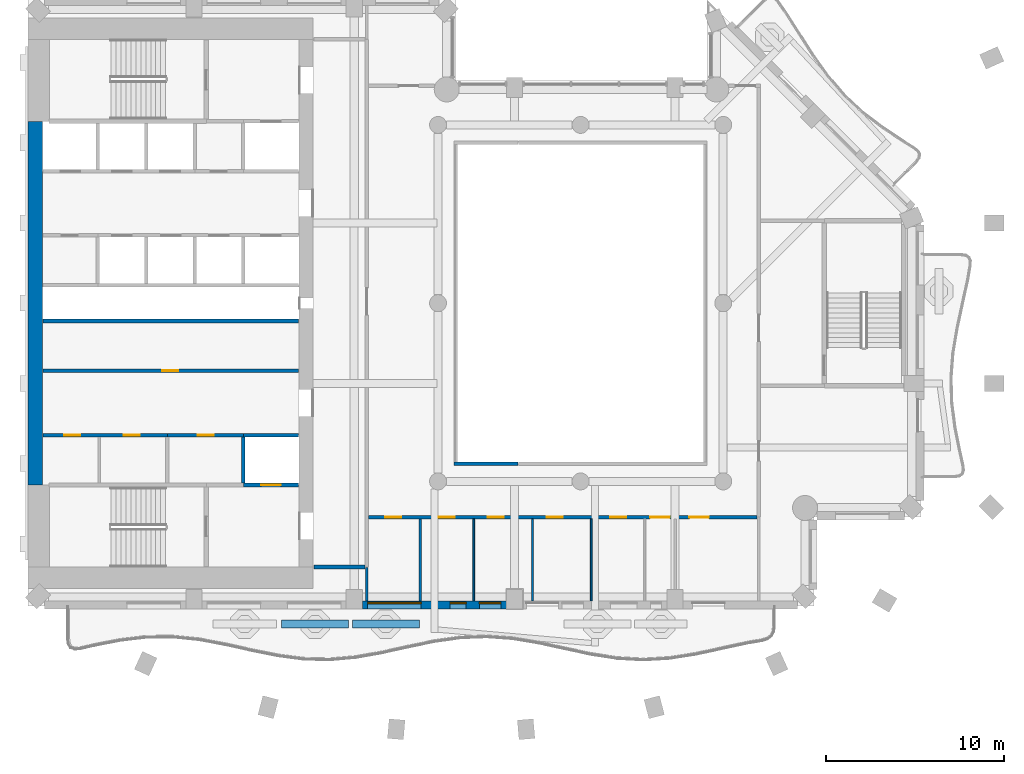
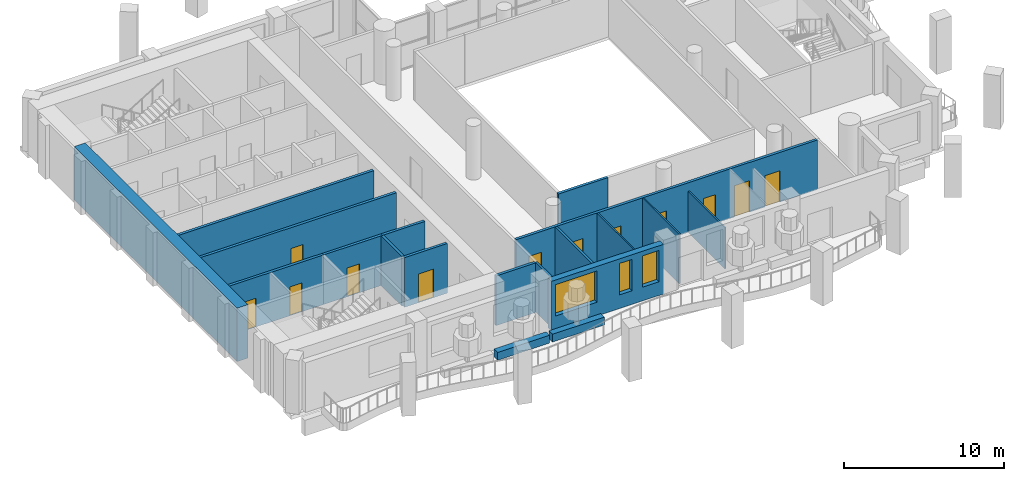
# One storey, part 4 of 15: 19 walls, 12 doors, 3 windows, 15 openings.
"""IFC4 building model written with IfcOpenShell, lengths in metres."""

import ifcopenshell
import ifcopenshell.guid

model = None  # the IFC model being written
_history = None  # IfcOwnerHistory: only IFC2X3 demands one
_inside = {}  # id of a spatial element -> (the spatial element, [elements in it])
_under = {}  # id of a project, library or spatial element -> (it, [spatial elements below it])
_declared = {}  # id of a project -> (the project, [libraries it declares])
_typed = {}  # id of a type object -> (the type object, [elements of that type])
_made_of = {}  # id of a material, layer set ... -> (it, [elements and type objects made of it])


def new_model(schema):
    """Start an empty IFC model of exactly this schema.

    Asked for "IFC4X3", IfcOpenShell would pick the latest addendum, in which some entities
    have other attributes; the version numbers below select the first issue.
    IFC2X3 requires an IfcOwnerHistory on every rooted entity: one is made here for all.
    """
    global model, _history
    if schema == "IFC4X3":
        model = ifcopenshell.file(schema_version=(4, 3, 0, 0))
    else:
        model = ifcopenshell.file(schema=schema)
    _inside.clear()
    _under.clear()
    _declared.clear()
    _typed.clear()
    _made_of.clear()
    _history = None
    if model.schema == "IFC2X3":
        org = make("IfcOrganization", Name="unknown")
        user = make(
            "IfcPersonAndOrganization",
            ThePerson=make("IfcPerson", FamilyName="unknown"),
            TheOrganization=org,
        )
        app = make(
            "IfcApplication",
            ApplicationDeveloper=org,
            Version="unknown",
            ApplicationFullName="unknown",
            ApplicationIdentifier="unknown",
        )
        _history = make(
            "IfcOwnerHistory",
            OwningUser=user,
            OwningApplication=app,
            ChangeAction="ADDED",
            CreationDate=0,
        )
    return model


def make(cls, **values):
    """One entity of the class cls with the attributes given. An attribute that is None is left unset."""
    return model.create_entity(
        cls, **{name: value for name, value in values.items() if value is not None}
    )


def rooted(cls, **values):
    """An entity with a GlobalId (a new one), such as an element, a storey or a relation."""
    return make(cls, GlobalId=ifcopenshell.guid.new(), OwnerHistory=_history, **values)


def si_unit(unit_type, name, prefix=None):
    """IfcSIUnit, for example si_unit("LENGTHUNIT", "METRE", prefix="MILLI")."""
    return make("IfcSIUnit", UnitType=unit_type, Prefix=prefix, Name=name)


def assignment(units):
    """IfcUnitAssignment: the units of a project."""
    return None if units is None else make("IfcUnitAssignment", Units=units)


def point(xyz):
    """IfcCartesianPoint."""
    return None if xyz is None else make("IfcCartesianPoint", Coordinates=xyz)


def direction(xyz):
    """IfcDirection."""
    return None if xyz is None else make("IfcDirection", DirectionRatios=xyz)


def frame(location, z_axis=None, x_axis=None):
    """IfcAxis2Placement3D, a coordinate frame: its origin and axes. An axis left out is left unset."""
    return make(
        "IfcAxis2Placement3D",
        Location=point(location),
        Axis=direction(z_axis),
        RefDirection=direction(x_axis),
    )


def frame_2d(location, x_axis=None):
    """IfcAxis2Placement2D, a coordinate frame in the plane: its origin and x axis."""
    return make(
        "IfcAxis2Placement2D", Location=point(location), RefDirection=direction(x_axis)
    )


def origin():
    """The frame at (0, 0, 0) with its axes left unset."""
    return frame((0.0, 0.0, 0.0))


def place(relative_to, where):
    """IfcLocalPlacement: puts the frame where relative to a parent placement (None: the world)."""
    return make(
        "IfcLocalPlacement", PlacementRelTo=relative_to, RelativePlacement=where
    )


def context(
    kind, dimensions, precision=None, world=None, true_north=None, identifier=None
):
    """IfcGeometricRepresentationContext, for example the 3D "Model" context."""
    return make(
        "IfcGeometricRepresentationContext",
        ContextIdentifier=identifier,
        ContextType=kind,
        CoordinateSpaceDimension=dimensions,
        Precision=precision,
        WorldCoordinateSystem=world,
        TrueNorth=true_north,
    )


def subcontext(parent, identifier, kind, view, scale=None):
    """IfcGeometricRepresentationSubContext, for example "Body" below "Model"."""
    return make(
        "IfcGeometricRepresentationSubContext",
        ContextIdentifier=identifier,
        ContextType=kind,
        ParentContext=parent,
        TargetScale=scale,
        TargetView=view,
    )


def project(units=None, contexts=None):
    """IfcProject with its units and contexts."""
    return rooted(
        "IfcProject",
        Name="project",
        RepresentationContexts=contexts,
        UnitsInContext=assignment(units),
    )


def spatial(cls, under=None, at=None, **own):
    """A site, building, storey or space (cls), placed at a placement, below another one or the project."""
    s = rooted(cls, ObjectPlacement=at, **own)
    if under is not None:
        _under.setdefault(under.id(), (under, []))[1].append(s)
    return s


def profile(cls, at=None, kind="AREA", **sizes):
    """A parametric profile (cls). Its sizes go by their IFC names, for example OverallWidth=200.0."""
    return make(cls, ProfileType=kind, Position=at, **sizes)


def rectangle(**sizes):
    """IfcRectangleProfileDef."""
    return profile("IfcRectangleProfileDef", **sizes)


def extrude(swept, where, along, depth):
    """IfcExtrudedAreaSolid: the profile swept, set in the frame where, extruded along a direction by depth."""
    return make(
        "IfcExtrudedAreaSolid",
        SweptArea=swept,
        Position=where,
        ExtrudedDirection=direction(along),
        Depth=depth,
    )


def shape(context_of_items, identifier, shape_type, items):
    """IfcShapeRepresentation: the items that make up one representation, for example the "Body"."""
    return make(
        "IfcShapeRepresentation",
        ContextOfItems=context_of_items,
        RepresentationIdentifier=identifier,
        RepresentationType=shape_type,
        Items=items,
    )


def material(Name=None, Category=None):
    """IfcMaterial."""
    return make("IfcMaterial", Name=Name, Category=Category)


def layer(
    of_material, thickness, ventilated=None, Name=None, Category=None, Priority=None
):
    """IfcMaterialLayer: one layer of a wall or slab, of a material (None: an air gap)."""
    return make(
        "IfcMaterialLayer",
        Material=of_material,
        LayerThickness=thickness,
        IsVentilated=ventilated,
        Name=Name,
        Category=Category,
        Priority=Priority,
    )


def layer_set(layers, Name=None):
    """IfcMaterialLayerSet."""
    return make("IfcMaterialLayerSet", MaterialLayers=layers, LayerSetName=Name)


def made_of(thing, what):
    """Note that an element or type object is made of a material, layer set ...; save() writes the relation."""
    if what is not None:
        _made_of.setdefault(what.id(), (what, []))[1].append(thing)
    return thing


def type_object(cls, material=None, **own):
    """A type object (cls), such as IfcWallType, which elements share."""
    return made_of(rooted(cls, **own), material)


def element(
    cls,
    number,
    at=None,
    inside=None,
    cuts=None,
    type_object=None,
    material=None,
    context=None,
    identifier="Body",
    shape_type=None,
    held_by="IfcProductDefinitionShape",
    body=None,
    shapes=None,
    **own,
):
    """One element of the class cls, such as IfcWall. Its Tag is "e" and its number.

    at: its placement. inside: the storey or other place that contains it. cuts: it is an
    opening in that element (IfcRelVoidsElement). A single representation is given by context,
    identifier, shape_type and body (its items); several are given by shapes. held_by: the class
    of the entity that holds the representations. save() writes the other relations.
    """
    e = rooted(cls, Tag="e%d" % number, ObjectPlacement=at, **own)
    if body is not None:
        shapes = [shape(context, identifier, shape_type, body)]
    if shapes is not None:
        e.Representation = make(held_by, Representations=shapes)
    if inside is not None:
        _inside.setdefault(inside.id(), (inside, []))[1].append(e)
    if cuts is not None:
        rooted(
            "IfcRelVoidsElement", RelatingBuildingElement=cuts, RelatedOpeningElement=e
        )
    if type_object is not None:
        _typed.setdefault(type_object.id(), (type_object, []))[1].append(e)
    return made_of(e, material)


def fill(opening, filler):
    """IfcRelFillsElement: the door or window that sits in an opening."""
    return rooted(
        "IfcRelFillsElement",
        RelatingOpeningElement=opening,
        RelatedBuildingElement=filler,
    )


def aggregate(whole, parts):
    """IfcRelAggregates: a whole, such as a stair, and the parts it consists of."""
    return rooted("IfcRelAggregates", RelatingObject=whole, RelatedObjects=parts)


def save(model, path):
    """Write the relations noted so far, then the file.

    IfcRelAggregates (storeys below a building ...), IfcRelContainedInSpatialStructure (elements
    in a storey), IfcRelDefinesByType, IfcRelAssociatesMaterial and IfcRelDeclares: one each for
    every whole, place, type object, material and project.
    """
    for whole, parts in _under.values():
        aggregate(whole, parts)
    for where, things in _inside.values():
        rooted(
            "IfcRelContainedInSpatialStructure",
            RelatedElements=things,
            RelatingStructure=where,
        )
    for kind, things in _typed.values():
        rooted("IfcRelDefinesByType", RelatedObjects=things, RelatingType=kind)
    for what, things in _made_of.values():
        rooted("IfcRelAssociatesMaterial", RelatedObjects=things, RelatingMaterial=what)
    for by, libraries in _declared.values():
        rooted("IfcRelDeclares", RelatingContext=by, RelatedDefinitions=libraries)
    model.write(path)


model = new_model("IFC4")

# Units and contexts
model_context = context("Model", 3, precision=1e-05, world=origin(), true_north=direction((0.0, 1.0)))
body_context = subcontext(model_context, "Body", "Model", "MODEL_VIEW")
ifc_project = project(units=[si_unit("LENGTHUNIT", "METRE"), si_unit("AREAUNIT", "SQUARE_METRE"), si_unit("VOLUMEUNIT", "CUBIC_METRE"), si_unit("PLANEANGLEUNIT", "RADIAN"), si_unit("MASSUNIT", "GRAM", prefix="KILO")], contexts=[model_context])

# Site, building, storey
site_placement = place(None, origin())
site = spatial("IfcSite", under=ifc_project, at=site_placement, CompositionType="ELEMENT")
building_placement = place(site_placement, origin())
building = spatial("IfcBuilding", under=site, at=building_placement, Name="Cypress Arch Tower", CompositionType="ELEMENT")
storey_placement = place(building_placement, frame((0.0, 0.0, 176.89990234375)))
storey = spatial("IfcBuildingStorey", under=building, at=storey_placement, Name="L38", CompositionType="ELEMENT", Elevation=176.89990234375)

# Walls
ifc_material_1 = material(Name="Concrete C40/50, waterproofed", Category="concrete")
ifc_layer_1 = layer(ifc_material_1, 0.449951171875)
ifc_layer_set_1 = layer_set([ifc_layer_1], Name="Balcony planter wall PW450")
wall_type_1 = type_object("IfcWallType", Name="Balcony planter wall PW450", PredefinedType="SOLIDWALL", material=ifc_layer_set_1)
for number, where, z_axis, x_axis, name in (
    (1, (-15.77001953125, -18.0, 0.0), (0.0, 0.0, 1.0), (1.0, 0.0, 0.0), "Balcony planter wall L38-B01.2"),
    (2, (-11.81005859375, -18.0, 0.0), (0.0, 0.0, 1.0), (1.0, 0.0, 0.0), "Balcony planter wall L38-B01.3"),
):
    element("IfcWall", number, at=place(storey_placement, frame(where, z_axis=z_axis, x_axis=x_axis)), inside=storey, type_object=wall_type_1, Name=name, PredefinedType="SOLIDWALL", context=body_context, shape_type="SweptSolid", body=[
        extrude(rectangle(XDim=3.760009765625, YDim=0.449951171875, at=frame_2d((1.8798828125, 0.0))), origin(), (0.0, 0.0, 1.0), 0.60009765625),
    ])

# Wall, openings, windows
ifc_material_2 = material(Name="Brick (red buff blend)", Category="masonry")
ifc_layer_2 = layer(ifc_material_2, 0.449951171875)
ifc_layer_set_2 = layer_set([ifc_layer_2], Name="Brick pier and spandrel wall BW450")
wall_type_2 = type_object("IfcWallType", Name="Brick pier and spandrel wall BW450", PredefinedType="SOLIDWALL", material=ifc_layer_set_2)
wall_1_placement = place(storey_placement, frame((-11.25, -16.925048828125, 0.0), z_axis=(0.0, 0.0, 1.0), x_axis=(1.0, 0.0, 0.0)))
wall_1 = element("IfcWall", 3, at=wall_1_placement, inside=storey, type_object=wall_type_2, Name="Brick wall L38 B01.2", PredefinedType="SOLIDWALL", context=body_context, shape_type="SweptSolid", body=[
    extrude(rectangle(XDim=8.10009765625, YDim=0.449951171875, at=frame_2d((4.050048828125, 0.0))), origin(), (0.0, 0.0, 1.0), 3.800048828125),
])
opening_1_placement = place(wall_1_placement, frame((0.300048828125, 0.0, 1.050048828125)))
opening_1 = element("IfcOpeningElement", 4, at=opening_1_placement, cuts=wall_1, Name="Opening W300OD", PredefinedType="OPENING", context=body_context, shape_type="SweptSolid", body=[
    extrude(rectangle(XDim=3.0, YDim=2.39990234375, at=frame_2d((1.5, 1.199951171875))), frame((0.0, 0.23486328125, 0.0), z_axis=(0.0, -1.0, 0.0), x_axis=(1.0, 0.0, 0.0)), (0.0, 0.0, 1.0), 0.469970703125),
])
opening_2_placement = place(wall_1_placement, frame((4.925048828125, 0.0, 1.050048828125)))
opening_2 = element("IfcOpeningElement", 5, at=opening_2_placement, cuts=wall_1, Name="Opening W090OD", PredefinedType="OPENING", context=body_context, shape_type="SweptSolid", body=[
    extrude(rectangle(XDim=0.89990234375, YDim=2.39990234375, at=frame_2d((0.449951171875, 1.199951171875))), frame((0.0, 0.23486328125, 0.0), z_axis=(0.0, -1.0, 0.0), x_axis=(1.0, 0.0, 0.0)), (0.0, 0.0, 1.0), 0.469970703125),
])
opening_3_placement = place(wall_1_placement, frame((6.574951171875, 0.0, 1.050048828125)))
opening_3 = element("IfcOpeningElement", 6, at=opening_3_placement, cuts=wall_1, Name="Opening W120OD", PredefinedType="OPENING", context=body_context, shape_type="SweptSolid", body=[
    extrude(rectangle(XDim=1.199951171875, YDim=2.39990234375, at=frame_2d((0.60009765625, 1.199951171875))), frame((0.0, 0.23486328125, 0.0), z_axis=(0.0, -1.0, 0.0), x_axis=(1.0, 0.0, 0.0)), (0.0, 0.0, 1.0), 0.469970703125),
])
ifc_material_3 = material(Name="Anodised aluminium, bronze finish, laminated low-emissivity double glazing, large-missile impact rated", Category="aluminium")
window_type_1 = type_object("IfcWindowType", Name="Window Office 1200x2400 debris-rated", PartitioningType="SINGLE_PANEL", PredefinedType="WINDOW", material=ifc_material_3)
window_1_placement = place(opening_3_placement, origin())
window_1 = element("IfcWindow", 7, at=window_1_placement, inside=storey, type_object=window_type_1, Name="Window L38 B01.2.2b", OverallHeight=2.39990234375, OverallWidth=1.199951171875, PartitioningType="SINGLE_PANEL", PredefinedType="WINDOW", context=body_context, shape_type="SweptSolid", body=[
    extrude(rectangle(XDim=1.199951171875, YDim=2.39990234375, at=frame_2d((0.60009765625, 1.199951171875))), frame((0.0, 0.135009765625, 0.0), z_axis=(0.0, -1.0, 0.0), x_axis=(1.0, 0.0, 0.0)), (0.0, 0.0, 1.0), 0.06005859375),
])
fill(opening_3, window_1)
ifc_material_4 = material(Name="Anodised aluminium, bronze finish, laminated low-emissivity double glazing, large-missile impact rated", Category="aluminium")
window_type_2 = type_object("IfcWindowType", Name="Window Office 3000x2400 debris-rated", PartitioningType="SINGLE_PANEL", PredefinedType="WINDOW", material=ifc_material_4)
window_2_placement = place(opening_1_placement, origin())
window_2 = element("IfcWindow", 8, at=window_2_placement, inside=storey, type_object=window_type_2, Name="Window L38 B01.2.1", OverallHeight=2.39990234375, OverallWidth=3.0, PartitioningType="SINGLE_PANEL", PredefinedType="WINDOW", context=body_context, shape_type="SweptSolid", body=[
    extrude(rectangle(XDim=3.0, YDim=2.39990234375, at=frame_2d((1.5, 1.199951171875))), frame((0.0, 0.135009765625, 0.0), z_axis=(0.0, -1.0, 0.0), x_axis=(1.0, 0.0, 0.0)), (0.0, 0.0, 1.0), 0.06005859375),
])
fill(opening_1, window_2)
ifc_material_5 = material(Name="Anodised aluminium, bronze finish, laminated low-emissivity double glazing, large-missile impact rated", Category="aluminium")
window_type_3 = type_object("IfcWindowType", Name="Window Office 900x2400 debris-rated", PartitioningType="SINGLE_PANEL", PredefinedType="WINDOW", material=ifc_material_5)
window_3_placement = place(opening_2_placement, origin())
window_3 = element("IfcWindow", 9, at=window_3_placement, inside=storey, type_object=window_type_3, Name="Window L38 B01.2.2", OverallHeight=2.39990234375, OverallWidth=0.89990234375, PartitioningType="SINGLE_PANEL", PredefinedType="WINDOW", context=body_context, shape_type="SweptSolid", body=[
    extrude(rectangle(XDim=0.89990234375, YDim=2.39990234375, at=frame_2d((0.449951171875, 1.199951171875))), frame((0.0, 0.135009765625, 0.0), z_axis=(0.0, -1.0, 0.0), x_axis=(1.0, 0.0, 0.0)), (0.0, 0.0, 1.0), 0.06005859375),
])
fill(opening_2, window_3)

# Wall
ifc_material_6 = material(Name="Concrete C70/85", Category="concrete")
ifc_layer_3 = layer(ifc_material_6, 0.800048828125)
ifc_layer_set_3 = layer_set([ifc_layer_3], Name="Core wall CW800 C70/85")
wall_type_3 = type_object("IfcWallType", Name="Core wall CW800 C70/85", PredefinedType="SHEAR", material=ifc_layer_set_3)
wall_2_placement = place(storey_placement, frame((-29.60009765625, -10.199951171875, 0.0), z_axis=(0.0, 0.0, 1.0), x_axis=(0.0, 1.0, 0.0)))
element("IfcWall", 10, at=wall_2_placement, inside=storey, type_object=wall_type_3, Name="Core wall", PredefinedType="SHEAR", context=body_context, shape_type="SweptSolid", body=[
    extrude(rectangle(XDim=20.39990234375, YDim=0.800048828125, at=frame_2d((10.199951171875, 0.0))), origin(), (0.0, 0.0, 1.0), 4.10009765625),
])

# Wall, openings, doors
ifc_material_7 = material(Name="Concrete blockwork, plastered, rated", Category="masonry")
ifc_layer_4 = layer(ifc_material_7, 0.199951171875)
ifc_layer_set_4 = layer_set([ifc_layer_4], Name="Corridor wall FW200")
wall_type_4 = type_object("IfcWallType", Name="Corridor wall FW200", PredefinedType="PARTITIONING", material=ifc_layer_set_4)
wall_3_placement = place(storey_placement, frame((-29.169921875, -7.39990234375, 0.0), z_axis=(0.0, 0.0, 1.0), x_axis=(1.0, 0.0, 0.0)))
wall_3 = element("IfcWall", 11, at=wall_3_placement, inside=storey, type_object=wall_type_4, Name="Corridor wall", PredefinedType="PARTITIONING", context=body_context, shape_type="SweptSolid", body=[
    extrude(rectangle(XDim=6.989990234375, YDim=0.199951171875, at=frame_2d((3.4951171875, 0.0))), origin(), (0.0, 0.0, 1.0), 3.800048828125),
])
opening_4_placement = place(wall_3_placement, frame((1.199951171875, 0.0, 0.0)))
opening_4 = element("IfcOpeningElement", 12, at=opening_4_placement, cuts=wall_3, Name="Opening D05", PredefinedType="OPENING", context=body_context, shape_type="SweptSolid", body=[
    extrude(rectangle(XDim=0.89990234375, YDim=2.199951171875, at=frame_2d((0.449951171875, 1.10009765625))), frame((0.0, 0.10986328125, 0.0), z_axis=(0.0, -1.0, 0.0), x_axis=(1.0, 0.0, 0.0)), (0.0, 0.0, 1.0), 0.219970703125),
])
opening_5_placement = place(wall_3_placement, frame((4.550048828125, 0.0, 0.0)))
opening_5 = element("IfcOpeningElement", 13, at=opening_5_placement, cuts=wall_3, Name="Opening D05", PredefinedType="OPENING", context=body_context, shape_type="SweptSolid", body=[
    extrude(rectangle(XDim=0.89990234375, YDim=2.199951171875, at=frame_2d((0.449951171875, 1.10009765625))), frame((0.0, 0.10986328125, 0.0), z_axis=(0.0, -1.0, 0.0), x_axis=(1.0, 0.0, 0.0)), (0.0, 0.0, 1.0), 0.219970703125),
])
ifc_material_8 = material(Name="Timber flush door", Category="wood")
door_type_1 = type_object("IfcDoorType", Name="Service door D05 900x2200", OperationType="SINGLE_SWING_LEFT", PredefinedType="DOOR", material=ifc_material_8)
door_1_placement = place(opening_4_placement, origin())
door_1 = element("IfcDoor", 14, at=door_1_placement, inside=storey, type_object=door_type_1, Name="Service door", OperationType="SINGLE_SWING_LEFT", OverallHeight=2.199951171875, OverallWidth=0.89990234375, PredefinedType="DOOR", context=body_context, shape_type="SweptSolid", body=[
    extrude(rectangle(XDim=0.89990234375, YDim=2.199951171875, at=frame_2d((0.449951171875, 1.10009765625))), frame((0.0, 0.02490234375, 0.0), z_axis=(0.0, -1.0, 0.0), x_axis=(1.0, 0.0, 0.0)), (0.0, 0.0, 1.0), 0.050048828125),
])
fill(opening_4, door_1)
door_2_placement = place(opening_5_placement, origin())
door_2 = element("IfcDoor", 15, at=door_2_placement, inside=storey, type_object=door_type_1, Name="Service door", OperationType="SINGLE_SWING_RIGHT", OverallHeight=2.199951171875, OverallWidth=0.89990234375, PredefinedType="DOOR", context=body_context, shape_type="SweptSolid", body=[
    extrude(rectangle(XDim=0.89990234375, YDim=2.199951171875, at=frame_2d((0.449951171875, 1.10009765625))), frame((0.0, 0.02490234375, 0.0), z_axis=(0.0, -1.0, 0.0), x_axis=(1.0, 0.0, 0.0)), (0.0, 0.0, 1.0), 0.050048828125),
])
fill(opening_5, door_2)

# Wall, opening, door
wall_4_placement = place(storey_placement, frame((-29.169921875, -3.800048828125, 0.0), z_axis=(0.0, 0.0, 1.0), x_axis=(1.0, 0.0, 0.0)))
wall_4 = element("IfcWall", 16, at=wall_4_placement, inside=storey, type_object=wall_type_4, Name="Corridor wall", PredefinedType="PARTITIONING", context=body_context, shape_type="SweptSolid", body=[
    extrude(rectangle(XDim=14.33984375, YDim=0.199951171875, at=frame_2d((7.169921875, 0.0))), origin(), (0.0, 0.0, 1.0), 3.800048828125),
])
opening_6_placement = place(wall_4_placement, frame((6.699951171875, 0.0, 0.0)))
opening_6 = element("IfcOpeningElement", 17, at=opening_6_placement, cuts=wall_4, Name="Opening D05", PredefinedType="OPENING", context=body_context, shape_type="SweptSolid", body=[
    extrude(rectangle(XDim=0.89990234375, YDim=2.199951171875, at=frame_2d((0.449951171875, 1.10009765625))), frame((0.0, 0.10986328125, 0.0), z_axis=(0.0, -1.0, 0.0), x_axis=(1.0, 0.0, 0.0)), (0.0, 0.0, 1.0), 0.219970703125),
])
door_3_placement = place(opening_6_placement, origin())
door_3 = element("IfcDoor", 18, at=door_3_placement, inside=storey, type_object=door_type_1, Name="Service door", OperationType="SINGLE_SWING_LEFT", OverallHeight=2.199951171875, OverallWidth=0.89990234375, PredefinedType="DOOR", context=body_context, shape_type="SweptSolid", body=[
    extrude(rectangle(XDim=0.89990234375, YDim=2.199951171875, at=frame_2d((0.449951171875, 1.10009765625))), frame((0.0, 0.02490234375, 0.0), z_axis=(0.0, -1.0, 0.0), x_axis=(1.0, 0.0, 0.0)), (0.0, 0.0, 1.0), 0.050048828125),
])
fill(opening_6, door_3)

# Wall
wall_5_placement = place(storey_placement, frame((-13.969970703125, -14.800048828125, 0.0), z_axis=(0.0, 0.0, 1.0), x_axis=(1.0, 0.0, 0.0)))
element("IfcWall", 19, at=wall_5_placement, inside=storey, type_object=wall_type_4, Name="Corridor wall", PredefinedType="PARTITIONING", context=body_context, shape_type="SweptSolid", body=[
    extrude(rectangle(XDim=2.869873046875, YDim=0.199951171875, at=frame_2d((1.43505859375, 0.0))), origin(), (0.0, 0.0, 1.0), 3.800048828125),
])

# Wall, openings, doors
wall_6_placement = place(storey_placement, frame((-10.89990234375, -12.0, 0.0), z_axis=(0.0, 0.0, 1.0), x_axis=(1.0, 0.0, 0.0)))
wall_6 = element("IfcWall", 20, at=wall_6_placement, inside=storey, type_object=wall_type_4, Name="Corridor wall", PredefinedType="PARTITIONING", context=body_context, shape_type="SweptSolid", body=[
    extrude(rectangle(XDim=21.7998046875, YDim=0.199951171875, at=frame_2d((10.89990234375, 0.0))), origin(), (0.0, 0.0, 1.0), 3.800048828125),
])
opening_7_placement = place(wall_6_placement, frame((0.949951171875, 0.0, 0.0)))
opening_7 = element("IfcOpeningElement", 21, at=opening_7_placement, cuts=wall_6, Name="Opening D05", PredefinedType="OPENING", context=body_context, shape_type="SweptSolid", body=[
    extrude(rectangle(XDim=0.89990234375, YDim=2.199951171875, at=frame_2d((0.449951171875, 1.10009765625))), frame((0.0, 0.10986328125, 0.0), z_axis=(0.0, -1.0, 0.0), x_axis=(1.0, 0.0, 0.0)), (0.0, 0.0, 1.0), 0.219970703125),
])
opening_8_placement = place(wall_6_placement, frame((3.949951171875, 0.0, 0.0)))
opening_8 = element("IfcOpeningElement", 22, at=opening_8_placement, cuts=wall_6, Name="Opening D05", PredefinedType="OPENING", context=body_context, shape_type="SweptSolid", body=[
    extrude(rectangle(XDim=0.89990234375, YDim=2.199951171875, at=frame_2d((0.449951171875, 1.10009765625))), frame((0.0, 0.10986328125, 0.0), z_axis=(0.0, -1.0, 0.0), x_axis=(1.0, 0.0, 0.0)), (0.0, 0.0, 1.0), 0.219970703125),
])
opening_9_placement = place(wall_6_placement, frame((6.699951171875, 0.0, 0.0)))
opening_9 = element("IfcOpeningElement", 23, at=opening_9_placement, cuts=wall_6, Name="Opening D03", PredefinedType="OPENING", context=body_context, shape_type="SweptSolid", body=[
    extrude(rectangle(XDim=0.89990234375, YDim=2.199951171875, at=frame_2d((0.449951171875, 1.10009765625))), frame((0.0, 0.10986328125, 0.0), z_axis=(0.0, -1.0, 0.0), x_axis=(1.0, 0.0, 0.0)), (0.0, 0.0, 1.0), 0.219970703125),
])
opening_10_placement = place(wall_6_placement, frame((10.0, 0.0, 0.0)))
opening_10 = element("IfcOpeningElement", 24, at=opening_10_placement, cuts=wall_6, Name="Opening D03", PredefinedType="OPENING", context=body_context, shape_type="SweptSolid", body=[
    extrude(rectangle(XDim=0.89990234375, YDim=2.199951171875, at=frame_2d((0.449951171875, 1.10009765625))), frame((0.0, 0.10986328125, 0.0), z_axis=(0.0, -1.0, 0.0), x_axis=(1.0, 0.0, 0.0)), (0.0, 0.0, 1.0), 0.219970703125),
])
opening_11_placement = place(wall_6_placement, frame((13.550048828125, 0.0, 0.0)))
opening_11 = element("IfcOpeningElement", 25, at=opening_11_placement, cuts=wall_6, Name="Opening D03", PredefinedType="OPENING", context=body_context, shape_type="SweptSolid", body=[
    extrude(rectangle(XDim=0.89990234375, YDim=2.199951171875, at=frame_2d((0.449951171875, 1.10009765625))), frame((0.0, 0.10986328125, 0.0), z_axis=(0.0, -1.0, 0.0), x_axis=(1.0, 0.0, 0.0)), (0.0, 0.0, 1.0), 0.219970703125),
])
opening_12_placement = place(wall_6_placement, frame((15.800048828125, 0.0, 0.0)))
opening_12 = element("IfcOpeningElement", 26, at=opening_12_placement, cuts=wall_6, Name="Opening D01", PredefinedType="OPENING", context=body_context, shape_type="SweptSolid", body=[
    extrude(rectangle(XDim=1.10009765625, YDim=2.39990234375, at=frame_2d((0.550048828125, 1.199951171875))), frame((0.0, 0.10986328125, 0.0), z_axis=(0.0, -1.0, 0.0), x_axis=(1.0, 0.0, 0.0)), (0.0, 0.0, 1.0), 0.219970703125),
])
opening_13_placement = place(wall_6_placement, frame((18.0, 0.0, 0.0)))
opening_13 = element("IfcOpeningElement", 27, at=opening_13_placement, cuts=wall_6, Name="Opening D01", PredefinedType="OPENING", context=body_context, shape_type="SweptSolid", body=[
    extrude(rectangle(XDim=1.10009765625, YDim=2.39990234375, at=frame_2d((0.550048828125, 1.199951171875))), frame((0.0, 0.10986328125, 0.0), z_axis=(0.0, -1.0, 0.0), x_axis=(1.0, 0.0, 0.0)), (0.0, 0.0, 1.0), 0.219970703125),
])
ifc_material_9 = material(Name="Timber flush door, moisture resistant", Category="wood")
door_type_2 = type_object("IfcDoorType", Name="Bathroom door D03 900x2200", OperationType="SINGLE_SWING_LEFT", PredefinedType="DOOR", material=ifc_material_9)
door_4_placement = place(opening_9_placement, origin())
door_4 = element("IfcDoor", 28, at=door_4_placement, inside=storey, type_object=door_type_2, Name="Bathroom door", OperationType="SINGLE_SWING_RIGHT", OverallHeight=2.199951171875, OverallWidth=0.89990234375, PredefinedType="DOOR", context=body_context, shape_type="SweptSolid", body=[
    extrude(rectangle(XDim=0.89990234375, YDim=2.199951171875, at=frame_2d((0.449951171875, 1.10009765625))), frame((0.0, 0.02490234375, 0.0), z_axis=(0.0, -1.0, 0.0), x_axis=(1.0, 0.0, 0.0)), (0.0, 0.0, 1.0), 0.050048828125),
])
fill(opening_9, door_4)
door_5_placement = place(opening_10_placement, origin())
door_5 = element("IfcDoor", 29, at=door_5_placement, inside=storey, type_object=door_type_2, Name="Bathroom door", OperationType="SINGLE_SWING_RIGHT", OverallHeight=2.199951171875, OverallWidth=0.89990234375, PredefinedType="DOOR", context=body_context, shape_type="SweptSolid", body=[
    extrude(rectangle(XDim=0.89990234375, YDim=2.199951171875, at=frame_2d((0.449951171875, 1.10009765625))), frame((0.0, 0.02490234375, 0.0), z_axis=(0.0, -1.0, 0.0), x_axis=(1.0, 0.0, 0.0)), (0.0, 0.0, 1.0), 0.050048828125),
])
fill(opening_10, door_5)
door_6_placement = place(opening_11_placement, origin())
door_6 = element("IfcDoor", 30, at=door_6_placement, inside=storey, type_object=door_type_2, Name="Bathroom door", OperationType="SINGLE_SWING_RIGHT", OverallHeight=2.199951171875, OverallWidth=0.89990234375, PredefinedType="DOOR", context=body_context, shape_type="SweptSolid", body=[
    extrude(rectangle(XDim=0.89990234375, YDim=2.199951171875, at=frame_2d((0.449951171875, 1.10009765625))), frame((0.0, 0.02490234375, 0.0), z_axis=(0.0, -1.0, 0.0), x_axis=(1.0, 0.0, 0.0)), (0.0, 0.0, 1.0), 0.050048828125),
])
fill(opening_11, door_6)
door_7_placement = place(opening_7_placement, origin())
door_7 = element("IfcDoor", 31, at=door_7_placement, inside=storey, type_object=door_type_1, Name="Service door", OperationType="SINGLE_SWING_RIGHT", OverallHeight=2.199951171875, OverallWidth=0.89990234375, PredefinedType="DOOR", context=body_context, shape_type="SweptSolid", body=[
    extrude(rectangle(XDim=0.89990234375, YDim=2.199951171875, at=frame_2d((0.449951171875, 1.10009765625))), frame((0.0, 0.02490234375, 0.0), z_axis=(0.0, -1.0, 0.0), x_axis=(1.0, 0.0, 0.0)), (0.0, 0.0, 1.0), 0.050048828125),
])
fill(opening_7, door_7)
door_8_placement = place(opening_8_placement, origin())
door_8 = element("IfcDoor", 32, at=door_8_placement, inside=storey, type_object=door_type_1, Name="Service door", OperationType="SINGLE_SWING_RIGHT", OverallHeight=2.199951171875, OverallWidth=0.89990234375, PredefinedType="DOOR", context=body_context, shape_type="SweptSolid", body=[
    extrude(rectangle(XDim=0.89990234375, YDim=2.199951171875, at=frame_2d((0.449951171875, 1.10009765625))), frame((0.0, 0.02490234375, 0.0), z_axis=(0.0, -1.0, 0.0), x_axis=(1.0, 0.0, 0.0)), (0.0, 0.0, 1.0), 0.050048828125),
])
fill(opening_8, door_8)
ifc_material_10 = material(Name="Timber flush door, fire resisting, self-closing", Category="wood")
door_type_3 = type_object("IfcDoorType", Name="Unit entrance door D01 1100x2400", OperationType="SINGLE_SWING_LEFT", PredefinedType="DOOR", material=ifc_material_10)
door_9_placement = place(opening_12_placement, origin())
door_9 = element("IfcDoor", 33, at=door_9_placement, inside=storey, type_object=door_type_3, Name="Unit entrance door", OperationType="SINGLE_SWING_LEFT", OverallHeight=2.39990234375, OverallWidth=1.10009765625, PredefinedType="DOOR", context=body_context, shape_type="SweptSolid", body=[
    extrude(rectangle(XDim=1.10009765625, YDim=2.39990234375, at=frame_2d((0.550048828125, 1.199951171875))), frame((0.0, 0.02490234375, 0.0), z_axis=(0.0, -1.0, 0.0), x_axis=(1.0, 0.0, 0.0)), (0.0, 0.0, 1.0), 0.050048828125),
])
fill(opening_12, door_9)
door_10_placement = place(opening_13_placement, origin())
door_10 = element("IfcDoor", 34, at=door_10_placement, inside=storey, type_object=door_type_3, Name="Unit entrance door", OperationType="SINGLE_SWING_RIGHT", OverallHeight=2.39990234375, OverallWidth=1.10009765625, PredefinedType="DOOR", context=body_context, shape_type="SweptSolid", body=[
    extrude(rectangle(XDim=1.10009765625, YDim=2.39990234375, at=frame_2d((0.550048828125, 1.199951171875))), frame((0.0, 0.02490234375, 0.0), z_axis=(0.0, -1.0, 0.0), x_axis=(1.0, 0.0, 0.0)), (0.0, 0.0, 1.0), 0.050048828125),
])
fill(opening_13, door_10)

# Walls
wall_7_placement = place(storey_placement, frame((-6.10009765625, -9.0, 0.0), z_axis=(0.0, 0.0, 1.0), x_axis=(1.0, 0.0, 0.0)))
element("IfcWall", 35, at=wall_7_placement, inside=storey, type_object=wall_type_4, Name="Corridor wall", PredefinedType="PARTITIONING", context=body_context, shape_type="SweptSolid", body=[
    extrude(rectangle(XDim=3.580078125, YDim=0.199951171875, at=frame_2d((1.7900390625, 0.0))), origin(), (0.0, 0.0, 1.0), 3.800048828125),
])
ifc_material_11 = material(Name="Blockwork, plastered both sides", Category="masonry")
ifc_layer_5 = layer(ifc_material_11, 0.14990234375)
ifc_layer_set_5 = layer_set([ifc_layer_5], Name="Partition PW150")
wall_type_5 = type_object("IfcWallType", Name="Partition PW150", PredefinedType="PARTITIONING", material=ifc_layer_set_5)
wall_8_placement = place(storey_placement, frame((-11.0, -16.699951171875, 0.0), z_axis=(0.0, 0.0, 1.0), x_axis=(0.0, 1.0, 0.0)))
element("IfcWall", 36, at=wall_8_placement, inside=storey, type_object=wall_type_5, Name="Partition", PredefinedType="PARTITIONING", context=body_context, shape_type="SweptSolid", body=[
    extrude(rectangle(XDim=1.8798828125, YDim=0.14990234375, at=frame_2d((0.93994140625, 0.0))), origin(), (0.0, 0.0, 1.0), 3.800048828125),
])
wall_9_placement = place(storey_placement, frame((-8.0, -16.699951171875, 0.0), z_axis=(0.0, 0.0, 1.0), x_axis=(0.0, 1.0, 0.0)))
element("IfcWall", 37, at=wall_9_placement, inside=storey, type_object=wall_type_5, Name="Partition", PredefinedType="PARTITIONING", context=body_context, shape_type="SweptSolid", body=[
    extrude(rectangle(XDim=4.599853515625, YDim=0.14990234375, at=frame_2d((2.2998046875, 0.0))), origin(), (0.0, 0.0, 1.0), 3.800048828125),
])
ifc_material_12 = material(Name="Reinforced blockwork, plastered, rated", Category="masonry")
ifc_layer_6 = layer(ifc_material_12, 0.199951171875)
ifc_layer_set_6 = layer_set([ifc_layer_6], Name="Plant and riser wall PL200")
wall_type_6 = type_object("IfcWallType", Name="Plant and riser wall PL200", PredefinedType="PARTITIONING", material=ifc_layer_set_6)
wall_10_placement = place(storey_placement, frame((-29.169921875, -1.0, 0.0), z_axis=(0.0, 0.0, 1.0), x_axis=(1.0, 0.0, 0.0)))
element("IfcWall", 38, at=wall_10_placement, inside=storey, type_object=wall_type_6, Name="Plant and riser wall", PredefinedType="PARTITIONING", context=body_context, shape_type="SweptSolid", body=[
    extrude(rectangle(XDim=14.33984375, YDim=0.199951171875, at=frame_2d((7.169921875, 0.0))), origin(), (0.0, 0.0, 1.0), 3.800048828125),
])

# Wall, opening, door
wall_11_placement = place(storey_placement, frame((-22.179931640625, -7.39990234375, 0.0), z_axis=(0.0, 0.0, 1.0), x_axis=(1.0, 0.0, 0.0)))
wall_11 = element("IfcWall", 39, at=wall_11_placement, inside=storey, type_object=wall_type_6, Name="Plant and riser wall", PredefinedType="PARTITIONING", context=body_context, shape_type="SweptSolid", body=[
    extrude(rectangle(XDim=4.280029296875, YDim=0.199951171875, at=frame_2d((2.14013671875, 0.0))), origin(), (0.0, 0.0, 1.0), 3.800048828125),
])
opening_14_placement = place(wall_11_placement, frame((1.699951171875, 0.0, 0.0)))
opening_14 = element("IfcOpeningElement", 40, at=opening_14_placement, cuts=wall_11, Name="Opening D05", PredefinedType="OPENING", context=body_context, shape_type="SweptSolid", body=[
    extrude(rectangle(XDim=0.89990234375, YDim=2.199951171875, at=frame_2d((0.449951171875, 1.10009765625))), frame((0.0, 0.10986328125, 0.0), z_axis=(0.0, -1.0, 0.0), x_axis=(1.0, 0.0, 0.0)), (0.0, 0.0, 1.0), 0.219970703125),
])
door_11_placement = place(opening_14_placement, origin())
door_11 = element("IfcDoor", 41, at=door_11_placement, inside=storey, type_object=door_type_1, Name="Service door", OperationType="SINGLE_SWING_LEFT", OverallHeight=2.199951171875, OverallWidth=0.89990234375, PredefinedType="DOOR", context=body_context, shape_type="SweptSolid", body=[
    extrude(rectangle(XDim=0.89990234375, YDim=2.199951171875, at=frame_2d((0.449951171875, 1.10009765625))), frame((0.0, 0.02490234375, 0.0), z_axis=(0.0, -1.0, 0.0), x_axis=(1.0, 0.0, 0.0)), (0.0, 0.0, 1.0), 0.050048828125),
])
fill(opening_14, door_11)

# Wall
ifc_material_13 = material(Name="Concrete C50/60", Category="concrete")
ifc_layer_7 = layer(ifc_material_13, 0.199951171875)
ifc_layer_set_7 = layer_set([ifc_layer_7], Name="Shaft wall SH200")
wall_type_7 = type_object("IfcWallType", Name="Shaft wall SH200", PredefinedType="SHEAR", material=ifc_layer_set_7)
wall_12_placement = place(storey_placement, frame((-17.919921875, -10.10009765625, 0.0), z_axis=(0.0, 0.0, 1.0), x_axis=(0.0, 1.0, 0.0)))
element("IfcWall", 42, at=wall_12_placement, inside=storey, type_object=wall_type_7, Name="Shaft wall", PredefinedType="SHEAR", context=body_context, shape_type="SweptSolid", body=[
    extrude(rectangle(XDim=2.60009765625, YDim=0.199951171875, at=frame_2d((1.300048828125, 0.0))), origin(), (0.0, 0.0, 1.0), 3.800048828125),
])

# Wall, opening, door
wall_13_placement = place(storey_placement, frame((-17.919921875, -10.199951171875, 0.0), z_axis=(0.0, 0.0, 1.0), x_axis=(1.0, 0.0, 0.0)))
wall_13 = element("IfcWall", 43, at=wall_13_placement, inside=storey, type_object=wall_type_7, Name="Shaft wall", PredefinedType="SHEAR", context=body_context, shape_type="SweptSolid", body=[
    extrude(rectangle(XDim=3.08984375, YDim=0.199951171875, at=frame_2d((1.544921875, 0.0))), origin(), (0.0, 0.0, 1.0), 3.800048828125),
])
opening_15_placement = place(wall_13_placement, frame((1.0, 0.0, 0.0)))
opening_15 = element("IfcOpeningElement", 44, at=opening_15_placement, cuts=wall_13, Name="Opening LD-FL1", PredefinedType="OPENING", context=body_context, shape_type="SweptSolid", body=[
    extrude(rectangle(XDim=1.10009765625, YDim=2.199951171875, at=frame_2d((0.550048828125, 1.10009765625))), frame((0.0, 0.10986328125, 0.0), z_axis=(0.0, -1.0, 0.0), x_axis=(1.0, 0.0, 0.0)), (0.0, 0.0, 1.0), 0.219970703125),
])
ifc_material_14 = material(Name="Stainless steel centre-opening landing door, rated", Category="steel")
door_type_4 = type_object("IfcDoorType", Name="Lift landing door LD 1100x2200", OperationType="DOUBLE_DOOR_SLIDING", PredefinedType="DOOR", material=ifc_material_14)
door_12_placement = place(opening_15_placement, origin())
door_12 = element("IfcDoor", 45, at=door_12_placement, inside=storey, type_object=door_type_4, Name="Lift landing doors FL1", OperationType="DOUBLE_DOOR_SLIDING", OverallHeight=2.199951171875, OverallWidth=1.10009765625, PredefinedType="DOOR", context=body_context, shape_type="SweptSolid", body=[
    extrude(rectangle(XDim=1.10009765625, YDim=2.199951171875, at=frame_2d((0.550048828125, 1.10009765625))), frame((0.0, 0.02490234375, 0.0), z_axis=(0.0, -1.0, 0.0), x_axis=(1.0, 0.0, 0.0)), (0.0, 0.0, 1.0), 0.050048828125),
])
fill(opening_15, door_12)

# Walls
wall_14_placement = place(storey_placement, frame((-17.89990234375, -7.39990234375, 0.0), z_axis=(0.0, 0.0, 1.0), x_axis=(1.0, 0.0, 0.0)))
element("IfcWall", 46, at=wall_14_placement, inside=storey, type_object=wall_type_7, Name="Shaft wall", PredefinedType="SHEAR", context=body_context, shape_type="SweptSolid", body=[
    extrude(rectangle(XDim=3.06982421875, YDim=0.199951171875, at=frame_2d((1.534912109375, 0.0))), origin(), (0.0, 0.0, 1.0), 3.800048828125),
])
ifc_material_15 = material(Name="Moisture resistant board on steel studs, tiled", Category="steel")
ifc_layer_8 = layer(ifc_material_15, 0.10009765625)
ifc_layer_set_8 = layer_set([ifc_layer_8], Name="Wet wall PW100")
wall_type_8 = type_object("IfcWallType", Name="Wet wall PW100", PredefinedType="PARTITIONING", material=ifc_layer_set_8)
for number, where, z_axis, x_axis, name in (
    (47, (-5.0, -16.699951171875, 0.0), (0.0, 0.0, 1.0), (0.0, 1.0, 0.0), "Wet wall"),
    (48, (-1.698974609375, -16.699951171875, 0.0), (0.0, 0.0, 1.0), (0.0, 1.0, 0.0), "Wet wall"),
):
    element("IfcWall", number, at=place(storey_placement, frame(where, z_axis=z_axis, x_axis=x_axis)), inside=storey, type_object=wall_type_8, Name=name, PredefinedType="PARTITIONING", context=body_context, shape_type="SweptSolid", body=[
        extrude(rectangle(XDim=4.599853515625, YDim=0.10009765625, at=frame_2d((2.2998046875, 0.0))), origin(), (0.0, 0.0, 1.0), 3.800048828125),
    ])
wall_15_placement = place(storey_placement, frame((1.60107421875, -16.699951171875, 0.0), z_axis=(0.0, 0.0, 1.0), x_axis=(0.0, 1.0, 0.0)))
element("IfcWall", 49, at=wall_15_placement, inside=storey, type_object=wall_type_8, Name="Wet wall", PredefinedType="PARTITIONING", context=body_context, shape_type="SweptSolid", body=[
    extrude(rectangle(XDim=4.599853515625, YDim=0.10009765625, at=frame_2d((2.2998046875, 0.0))), origin(), (0.0, 0.0, 1.0), 3.150146484375),
])

save(model, "model.ifc")
